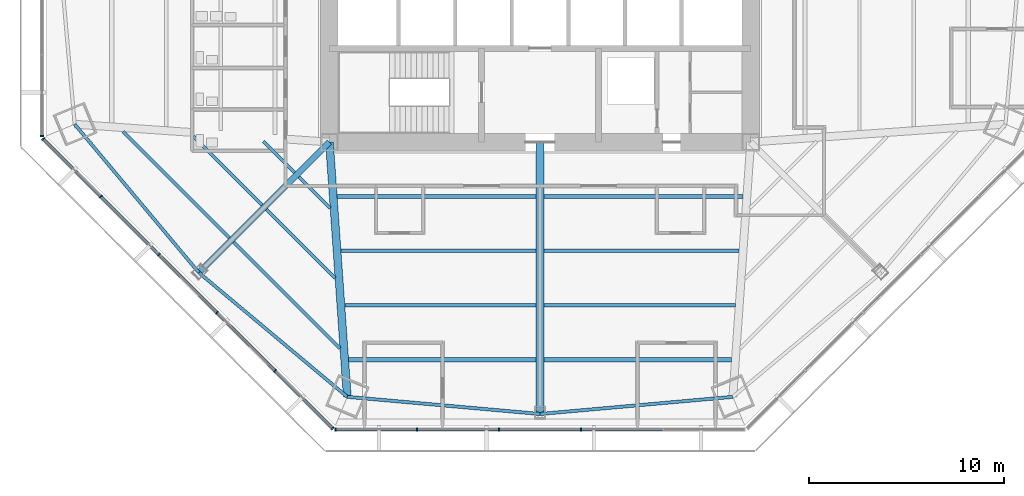
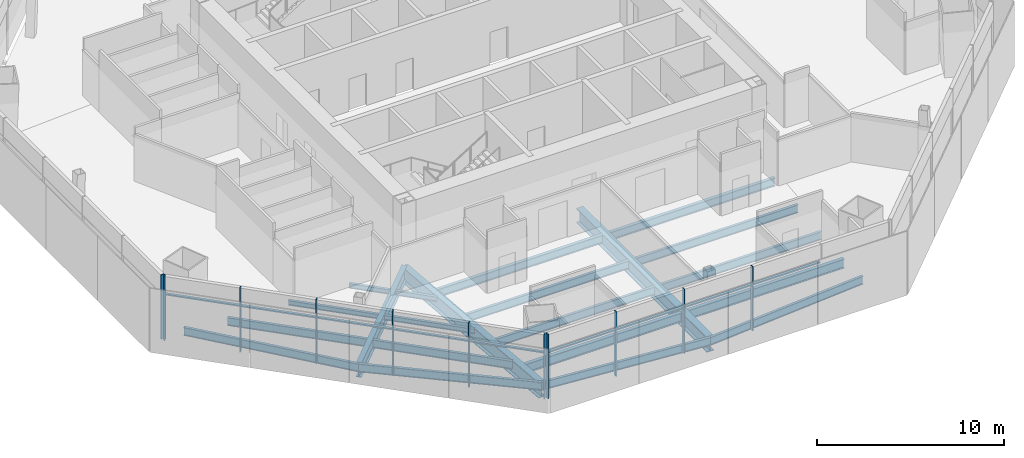
# One storey, part 2 of 17: 21 beams, 20 members, 3 elements without a shape of their own.
"""IFC4 building model written with IfcOpenShell, lengths in metres."""

from ifc_helpers import new_model, si_unit, direction, frame, origin, origin_2d, place, context, subcontext, project, spatial, rectangle, i_section, extrude, source, transform, mapped, material, material_profile, profile_set, type_object, type_shapes, element, aggregate, save


model = new_model("IFC4")

# Units and contexts
model_context = context("Model", 3, precision=1e-05, world=origin(), true_north=direction((0.0, 1.0)))
body_context = subcontext(model_context, "Body", "Model", "MODEL_VIEW")
ifc_project = project(units=[si_unit("LENGTHUNIT", "METRE"), si_unit("AREAUNIT", "SQUARE_METRE"), si_unit("VOLUMEUNIT", "CUBIC_METRE"), si_unit("PLANEANGLEUNIT", "RADIAN"), si_unit("MASSUNIT", "GRAM", prefix="KILO")], contexts=[model_context])

# Site, building, storey
site_placement = place(None, origin())
site = spatial("IfcSite", under=ifc_project, at=site_placement, CompositionType="ELEMENT")
building_placement = place(site_placement, origin())
building = spatial("IfcBuilding", under=site, at=building_placement, Name="Mashrafa Tower", CompositionType="ELEMENT")
storey_placement = place(building_placement, frame((0.0, 0.0, 87.60009765625)))
storey = spatial("IfcBuildingStorey", under=building, at=storey_placement, Name="L19", CompositionType="ELEMENT", Elevation=87.60009765625)

# Beams
ifc_material_1 = material(Name="Steel ASTM A992", Category="steel")
ifc_material_profile_1 = material_profile(ifc_material_1, i_section(OverallWidth=0.164794921875, OverallDepth=0.309814453125, WebThickness=0.005859375, FlangeThickness=0.009765625, FilletRadius=0.007568359375, at=origin_2d()), Name="W12X26")
ifc_profile_set_1 = profile_set([ifc_material_profile_1], Name="Steel ASTM A992")
beam_type_1 = type_object("IfcBeamType", Name="Beam W12X26", PredefinedType="BEAM", material=ifc_profile_set_1)
beam_1_placement = place(storey_placement, frame((-14.255126953125, -14.03955078125, -0.320068359375), z_axis=(-0.707106781187, 0.707106781187, 0.0), x_axis=(-0.707106781187, -0.707106781187, 0.0)))
element("IfcBeam", 1, at=beam_1_placement, inside=storey, type_object=beam_type_1, Name="Floor beam L19 012", PredefinedType="BEAM", context=body_context, shape_type="SweptSolid", body=[
    extrude(i_section(OverallWidth=0.164794921875, OverallDepth=0.309814453125, WebThickness=0.005859375, FlangeThickness=0.009765625, FilletRadius=0.007568359375, at=origin_2d()), origin(), (0.0, 0.0, 1.0), 4.989013671875),
])
for number, where, z_axis, x_axis, name in (
    (2, (-12.58154296875, -12.365966796875, -0.320068359375), (-0.707052896121, 0.707160662147, 0.0), (-0.707160662147, -0.707052896121, 0.0), "Floor beam L19 016"),
    (3, (-10.763916015625, -14.183349609375, -0.320068359375), (-0.707160662147, 0.707052896121, 0.0), (-0.707052896121, -0.707160662147, 0.0), "Floor beam L19 019"),
):
    element("IfcBeam", number, at=place(storey_placement, frame(where, z_axis=z_axis, x_axis=x_axis)), inside=storey, type_object=beam_type_1, Name=name, PredefinedType="BEAM", context=body_context, shape_type="SweptSolid", body=[
        extrude(i_section(OverallWidth=0.164794921875, OverallDepth=0.309814453125, WebThickness=0.005859375, FlangeThickness=0.009765625, FilletRadius=0.007568359375, at=origin_2d()), origin(), (0.0, 0.0, 1.0), 2.265380859375),
    ])
beam_2_placement = place(storey_placement, frame((-10.51171875, -17.782958984375, -0.320068359375), z_axis=(-0.707106781187, 0.707106781187, 0.0), x_axis=(-0.707106781187, -0.707106781187, 0.0)))
element("IfcBeam", 4, at=beam_2_placement, inside=storey, type_object=beam_type_1, Name="Floor beam L19 021", PredefinedType="BEAM", context=body_context, shape_type="SweptSolid", body=[
    extrude(i_section(OverallWidth=0.164794921875, OverallDepth=0.309814453125, WebThickness=0.005859375, FlangeThickness=0.009765625, FilletRadius=0.007568359375, at=origin_2d()), origin(), (0.0, 0.0, 1.0), 4.989013671875),
])
ifc_material_2 = material(Name="Steel ASTM A992", Category="steel")
ifc_material_profile_2 = material_profile(ifc_material_2, i_section(OverallWidth=0.165771484375, OverallDepth=0.5283203125, WebThickness=0.009765625, FlangeThickness=0.013671875, FilletRadius=0.012939453125, at=origin_2d()), Name="W21X50")
ifc_profile_set_2 = profile_set([ifc_material_profile_2], Name="Steel ASTM A992")
beam_type_2 = type_object("IfcBeamType", Name="Beam W21X50", PredefinedType="BEAM", material=ifc_profile_set_2)
for number, where, z_axis, x_axis, name in (
    (5, (-15.9287109375, -15.713134765625, -0.42919921875), (-0.707138433944, 0.707075127012, 0.0), (-0.707075127012, -0.707138433944, 0.0), "Floor beam L19 009"),
    (6, (-10.259521484375, -21.3828125, -0.42919921875), (-0.707075127012, 0.707138433944, 0.0), (-0.707138433944, -0.707075127012, 0.0), "Floor beam L19 023"),
):
    element("IfcBeam", number, at=place(storey_placement, frame(where, z_axis=z_axis, x_axis=x_axis)), inside=storey, type_object=beam_type_2, Name=name, PredefinedType="BEAM", context=body_context, shape_type="SweptSolid", body=[
        extrude(i_section(OverallWidth=0.165771484375, OverallDepth=0.5283203125, WebThickness=0.009765625, FlangeThickness=0.013671875, FilletRadius=0.012939453125, at=origin_2d()), origin(), (0.0, 0.0, 1.0), 7.712890625),
    ])
beam_3_placement = place(storey_placement, frame((-0.212158203125, -19.164794921875, -0.42919921875), z_axis=(-1.0, 0.0, 0.0), x_axis=(0.0, -1.0, 0.0)))
element("IfcBeam", 7, at=beam_3_placement, inside=storey, type_object=beam_type_2, Name="Floor beam L19 026", PredefinedType="BEAM", context=body_context, shape_type="SweptSolid", body=[
    extrude(i_section(OverallWidth=0.165771484375, OverallDepth=0.5283203125, WebThickness=0.009765625, FlangeThickness=0.013671875, FilletRadius=0.012939453125, at=origin_2d()), origin(), (0.0, 0.0, 1.0), 9.80029296875),
])
beam_4_placement = place(storey_placement, frame((-0.212158203125, -16.37646484375, -0.42919921875), z_axis=(-1.0, 0.0, 0.0), x_axis=(0.0, -1.0, 0.0)))
element("IfcBeam", 8, at=beam_4_placement, inside=storey, type_object=beam_type_2, Name="Floor beam L19 027", PredefinedType="BEAM", context=body_context, shape_type="SweptSolid", body=[
    extrude(i_section(OverallWidth=0.165771484375, OverallDepth=0.5283203125, WebThickness=0.009765625, FlangeThickness=0.013671875, FilletRadius=0.012939453125, at=origin_2d()), origin(), (0.0, 0.0, 1.0), 9.995849609375),
])
beam_5_placement = place(storey_placement, frame((10.012451171875, -19.164794921875, -0.42919921875), z_axis=(-1.0, 0.0, 0.0), x_axis=(0.0, -1.0, 0.0)))
element("IfcBeam", 9, at=beam_5_placement, inside=storey, type_object=beam_type_2, Name="Floor beam L19 035", PredefinedType="BEAM", context=body_context, shape_type="SweptSolid", body=[
    extrude(i_section(OverallWidth=0.165771484375, OverallDepth=0.5283203125, WebThickness=0.009765625, FlangeThickness=0.013671875, FilletRadius=0.012939453125, at=origin_2d()), origin(), (0.0, 0.0, 1.0), 9.80029296875),
])
beam_6_placement = place(storey_placement, frame((10.2080078125, -16.37646484375, -0.42919921875), z_axis=(-1.0, 0.0, 0.0), x_axis=(0.0, -1.0, 0.0)))
element("IfcBeam", 10, at=beam_6_placement, inside=storey, type_object=beam_type_2, Name="Floor beam L19 037", PredefinedType="BEAM", context=body_context, shape_type="SweptSolid", body=[
    extrude(i_section(OverallWidth=0.165771484375, OverallDepth=0.5283203125, WebThickness=0.009765625, FlangeThickness=0.013671875, FilletRadius=0.012939453125, at=origin_2d()), origin(), (0.0, 0.0, 1.0), 9.995849609375),
])
for number, where, z_axis, x_axis, name in (
    (11, (-23.863037109375, -9.884521484375, -0.42919921875), (0.641768112659, -0.766898747928, 0.0), (0.766898747928, 0.641768112659, 0.0), "Spandrel beam L19 074"),
    (12, (-17.49462890625, -17.49462890625, -0.42919921875), (0.766898747928, -0.641768112659, 0.0), (0.641768112659, 0.766898747928, 0.0), "Spandrel beam L19 076"),
    (13, (-9.884521484375, -23.863037109375, -0.42919921875), (0.996076641631, -0.088494768196, 0.0), (0.088494768196, 0.996076641631, 0.0), "Spandrel beam L19 078"),
    (14, (0.0, -24.7412109375, -0.42919921875), (0.996076641631, 0.088494768196, 0.0), (-0.088494768196, 0.996076641631, 0.0), "Spandrel beam L19 080"),
):
    element("IfcBeam", number, at=place(storey_placement, frame(where, z_axis=z_axis, x_axis=x_axis)), inside=storey, type_object=beam_type_2, Name=name, PredefinedType="BEAM", context=body_context, shape_type="SweptSolid", body=[
        extrude(i_section(OverallWidth=0.165771484375, OverallDepth=0.5283203125, WebThickness=0.009765625, FlangeThickness=0.013671875, FilletRadius=0.012939453125, at=origin_2d()), origin(), (0.0, 0.0, 1.0), 9.92333984375),
    ])
ifc_material_3 = material(Name="Steel ASTM A992", Category="steel")
ifc_material_profile_3 = material_profile(ifc_material_3, i_section(OverallWidth=0.209228515625, OverallDepth=0.533447265625, WebThickness=0.01025390625, FlangeThickness=0.015625, FilletRadius=0.012939453125, at=origin_2d()), Name="W21X62")
ifc_profile_set_3 = profile_set([ifc_material_profile_3], Name="Steel ASTM A992")
beam_type_3 = type_object("IfcBeamType", Name="Beam W21X62", PredefinedType="BEAM", material=ifc_profile_set_3)
for number, where, z_axis, x_axis, name in (
    (15, (-0.212158203125, -13.58837890625, -0.431884765625), (-1.0, 0.0, 0.0), (0.0, -1.0, 0.0), "Floor beam L19 028"),
    (16, (10.4033203125, -13.58837890625, -0.431884765625), (-1.0, 0.0, 0.0), (0.0, -1.0, 0.0), "Floor beam L19 039"),
):
    element("IfcBeam", number, at=place(storey_placement, frame(where, z_axis=z_axis, x_axis=x_axis)), inside=storey, type_object=beam_type_3, Name=name, PredefinedType="BEAM", context=body_context, shape_type="SweptSolid", body=[
        extrude(i_section(OverallWidth=0.209228515625, OverallDepth=0.533447265625, WebThickness=0.01025390625, FlangeThickness=0.015625, FilletRadius=0.012939453125, at=origin_2d()), origin(), (0.0, 0.0, 1.0), 10.191162109375),
    ])
ifc_material_4 = material(Name="Steel ASTM A992", Category="steel")
ifc_material_profile_4 = material_profile(ifc_material_4, i_section(OverallWidth=0.227783203125, OverallDepth=0.60205078125, WebThickness=0.010498046875, FlangeThickness=0.014892578125, FilletRadius=0.012939453125, at=origin_2d()), Name="W24X68")
ifc_profile_set_4 = profile_set([ifc_material_profile_4], Name="Steel ASTM A992")
beam_type_4 = type_object("IfcBeamType", Name="Beam W24X68", PredefinedType="BEAM", material=ifc_profile_set_4)
for number, where, z_axis, x_axis, name in (
    (17, (-0.212158203125, -21.952880859375, -0.466064453125), (-1.0, 0.0, 0.0), (0.0, -1.0, 0.0), "Floor beam L19 025"),
    (18, (9.817138671875, -21.952880859375, -0.466064453125), (-1.0, 0.0, 0.0), (0.0, -1.0, 0.0), "Floor beam L19 033"),
):
    element("IfcBeam", number, at=place(storey_placement, frame(where, z_axis=z_axis, x_axis=x_axis)), inside=storey, type_object=beam_type_4, Name=name, PredefinedType="BEAM", context=body_context, shape_type="SweptSolid", body=[
        extrude(i_section(OverallWidth=0.227783203125, OverallDepth=0.60205078125, WebThickness=0.010498046875, FlangeThickness=0.014892578125, FilletRadius=0.012939453125, at=origin_2d()), origin(), (0.0, 0.0, 1.0), 9.60498046875),
    ])
ifc_material_5 = material(Name="Steel ASTM A992", Category="steel")
ifc_material_profile_5 = material_profile(ifc_material_5, i_section(OverallWidth=0.3046875, OverallDepth=0.911865234375, WebThickness=0.015869140625, FlangeThickness=0.02392578125, FilletRadius=0.01904296875, at=origin_2d()), Name="W36X150")
ifc_profile_set_5 = profile_set([ifc_material_profile_5], Name="Steel ASTM A992")
beam_type_5 = type_object("IfcBeamType", Name="Beam W36X150", PredefinedType="BEAM", material=ifc_profile_set_5)
beam_7_placement = place(storey_placement, frame((-10.800048828125, -10.800048828125, -0.62109375), z_axis=(-0.707106781187, -0.707106781187, 0.0), x_axis=(0.707106781187, -0.707106781187, 0.0)))
element("IfcBeam", 19, at=beam_7_placement, inside=storey, type_object=beam_type_5, Name="Radial girder L19 058", PredefinedType="BEAM", context=body_context, shape_type="SweptSolid", body=[
    extrude(i_section(OverallWidth=0.3046875, OverallDepth=0.911865234375, WebThickness=0.015869140625, FlangeThickness=0.02392578125, FilletRadius=0.01904296875, at=origin_2d()), origin(), (0.0, 0.0, 1.0), 9.467529296875),
])
ifc_material_6 = material(Name="Steel ASTM A992", Category="steel")
ifc_material_profile_6 = material_profile(ifc_material_6, i_section(OverallWidth=0.424072265625, OverallDepth=0.960205078125, WebThickness=0.028564453125, FlangeThickness=0.051025390625, FilletRadius=0.02001953125, at=origin_2d()), Name="W36X361")
ifc_profile_set_6 = profile_set([ifc_material_profile_6], Name="Steel ASTM A992")
beam_type_6 = type_object("IfcBeamType", Name="Beam W36X361", PredefinedType="BEAM", material=ifc_profile_set_6)
beam_8_placement = place(storey_placement, frame((0.0, -10.800048828125, -0.645263671875), z_axis=(0.0, -1.0, 0.0), x_axis=(1.0, 0.0, 0.0)))
element("IfcBeam", 20, at=beam_8_placement, inside=storey, type_object=beam_type_6, Name="Radial girder L19 064", PredefinedType="BEAM", context=body_context, shape_type="SweptSolid", body=[
    extrude(i_section(OverallWidth=0.424072265625, OverallDepth=0.960205078125, WebThickness=0.028564453125, FlangeThickness=0.051025390625, FilletRadius=0.02001953125, at=origin_2d()), origin(), (0.0, 0.0, 1.0), 13.941162109375),
])
ifc_material_7 = material(Name="Steel ASTM A992", Category="steel")
ifc_material_profile_7 = material_profile(ifc_material_7, i_section(OverallWidth=0.4013671875, OverallDepth=1.010986328125, WebThickness=0.023681640625, FlangeThickness=0.0419921875, FilletRadius=0.02001953125, at=origin_2d()), Name="W40X297")
ifc_profile_set_7 = profile_set([ifc_material_profile_7], Name="Steel ASTM A992")
beam_type_7 = type_object("IfcBeamType", Name="Beam W40X297", PredefinedType="BEAM", material=ifc_profile_set_7)
beam_9_placement = place(storey_placement, frame((-10.800048828125, -10.800048828125, -0.670654296875), z_axis=(0.069914099504, -0.997553015479, 0.0), x_axis=(0.997553015479, 0.069914099504, 0.0)))
element("IfcBeam", 21, at=beam_9_placement, inside=storey, type_object=beam_type_7, Name="Radial girder L19 059", PredefinedType="BEAM", context=body_context, shape_type="SweptSolid", body=[
    extrude(i_section(OverallWidth=0.4013671875, OverallDepth=1.010986328125, WebThickness=0.023681640625, FlangeThickness=0.0419921875, FilletRadius=0.02001953125, at=origin_2d()), origin(), (0.0, 0.0, 1.0), 13.094970703125),
])

# Curtain wall, member
ifc_material_8 = material(Name="Unitised aluminium curtain wall", Category="aluminium")
curtain_wall_type = type_object("IfcCurtainWallType", Name="Office curtain wall, zone 1 CW-A 200 deep", PredefinedType="NOTDEFINED", material=ifc_material_8)
curtain_wall_1_placement = place(storey_placement, origin())
curtain_wall_1 = element("IfcCurtainWall", 22, at=curtain_wall_1_placement, inside=storey, type_object=curtain_wall_type, Name="Office curtain wall, zone 1 L19 west", PredefinedType="NOTDEFINED")
ifc_material_9 = material(Name="Extruded aluminium mullion", Category="aluminium")
ifc_material_profile_8 = material_profile(ifc_material_9, rectangle(XDim=0.199951171875, YDim=0.06494140625, at=origin_2d()), Name="Mullion 65x200")
ifc_profile_set_8 = profile_set([ifc_material_profile_8], Name="Extruded aluminium mullion")
member_type_1 = type_object("IfcMemberType", Name="Mullion CW-A 65 x 200", PredefinedType="MULLION", material=ifc_profile_set_8)
shared_shape_1 = source(origin(), body_context, "Body", "SweptSolid", [
    extrude(rectangle(XDim=0.199951171875, YDim=0.06494140625, at=origin_2d()), origin(), (0.0, 0.0, 1.0), 4.199951171875),
])
type_shapes(member_type_1, [shared_shape_1])
member_1_placement = place(storey_placement, frame((-25.53662109375, -10.49365234375, 0.0), z_axis=(0.0, 0.0, 1.0), x_axis=(1.0, 0.0, 0.0)))
member_1 = element("IfcMember", 23, at=member_1_placement, type_object=member_type_1, Name="CW-A mullion 6", PredefinedType="MULLION", context=body_context, shape_type="MappedRepresentation", body=[
    mapped(shared_shape_1, transform((0.0, 0.0, 0.0))),
])
aggregate(curtain_wall_1, [member_1])

# Curtain wall, members
curtain_wall_2_placement = place(storey_placement, origin())
curtain_wall_2 = element("IfcCurtainWall", 24, at=curtain_wall_2_placement, inside=storey, type_object=curtain_wall_type, Name="Office curtain wall, zone 1 L19 south-west", PredefinedType="NOTDEFINED")
member_2_placement = place(storey_placement, frame((-25.477294921875, -10.636962890625, 0.0), z_axis=(0.0, 0.0, 1.0), x_axis=(0.707106781187, 0.707106781187, 0.0)))
member_2 = element("IfcMember", 25, at=member_2_placement, type_object=member_type_1, Name="CW-A mullion 1", PredefinedType="MULLION", context=body_context, shape_type="MappedRepresentation", body=[
    mapped(shared_shape_1, transform((0.0, 0.0, 0.0))),
])
member_3_placement = place(storey_placement, frame((-22.52294921875, -13.59130859375, 0.0), z_axis=(0.0, 0.0, 1.0), x_axis=(0.707106781187, 0.707106781187, 0.0)))
member_3 = element("IfcMember", 26, at=member_3_placement, type_object=member_type_1, Name="CW-A mullion 2", PredefinedType="MULLION", context=body_context, shape_type="MappedRepresentation", body=[
    mapped(shared_shape_1, transform((0.0, 0.0, 0.0))),
])
member_4_placement = place(storey_placement, frame((-19.545654296875, -16.568603515625, 0.0), z_axis=(0.0, 0.0, 1.0), x_axis=(0.707106781187, 0.707106781187, 0.0)))
member_4 = element("IfcMember", 27, at=member_4_placement, type_object=member_type_1, Name="CW-A mullion 3", PredefinedType="MULLION", context=body_context, shape_type="MappedRepresentation", body=[
    mapped(shared_shape_1, transform((0.0, 0.0, 0.0))),
])
member_5_placement = place(storey_placement, frame((-16.568603515625, -19.545654296875, 0.0), z_axis=(0.0, 0.0, 1.0), x_axis=(0.707106781187, 0.707106781187, 0.0)))
member_5 = element("IfcMember", 28, at=member_5_placement, type_object=member_type_1, Name="CW-A mullion 4", PredefinedType="MULLION", context=body_context, shape_type="MappedRepresentation", body=[
    mapped(shared_shape_1, transform((0.0, 0.0, 0.0))),
])
member_6_placement = place(storey_placement, frame((-13.59130859375, -22.52294921875, 0.0), z_axis=(0.0, 0.0, 1.0), x_axis=(0.707106781187, 0.707106781187, 0.0)))
member_6 = element("IfcMember", 29, at=member_6_placement, type_object=member_type_1, Name="CW-A mullion 5", PredefinedType="MULLION", context=body_context, shape_type="MappedRepresentation", body=[
    mapped(shared_shape_1, transform((0.0, 0.0, 0.0))),
])
member_7_placement = place(storey_placement, frame((-10.636962890625, -25.477294921875, 0.0), z_axis=(0.0, 0.0, 1.0), x_axis=(0.707106781187, 0.707106781187, 0.0)))
member_7 = element("IfcMember", 30, at=member_7_placement, type_object=member_type_1, Name="CW-A mullion 6", PredefinedType="MULLION", context=body_context, shape_type="MappedRepresentation", body=[
    mapped(shared_shape_1, transform((0.0, 0.0, 0.0))),
])

curtain_wall_3_placement = place(storey_placement, origin())
curtain_wall_3 = element("IfcCurtainWall", 31, at=curtain_wall_3_placement, inside=storey, type_object=curtain_wall_type, Name="Office curtain wall, zone 1 L19 south", PredefinedType="NOTDEFINED")
member_8_placement = place(storey_placement, frame((-10.49365234375, -25.53662109375, 0.0), z_axis=(0.0, 0.0, 1.0), x_axis=(0.0, 1.0, 0.0)))
member_8 = element("IfcMember", 32, at=member_8_placement, type_object=member_type_1, Name="CW-A mullion 1", PredefinedType="MULLION", context=body_context, shape_type="MappedRepresentation", body=[
    mapped(shared_shape_1, transform((0.0, 0.0, 0.0))),
])
member_9_placement = place(storey_placement, frame((-6.315673828125, -25.53662109375, 0.0), z_axis=(0.0, 0.0, 1.0), x_axis=(0.0, 1.0, 0.0)))
member_9 = element("IfcMember", 33, at=member_9_placement, type_object=member_type_1, Name="CW-A mullion 2", PredefinedType="MULLION", context=body_context, shape_type="MappedRepresentation", body=[
    mapped(shared_shape_1, transform((0.0, 0.0, 0.0))),
])
member_10_placement = place(storey_placement, frame((-2.105224609375, -25.53662109375, 0.0), z_axis=(0.0, 0.0, 1.0), x_axis=(0.0, 1.0, 0.0)))
member_10 = element("IfcMember", 34, at=member_10_placement, type_object=member_type_1, Name="CW-A mullion 3", PredefinedType="MULLION", context=body_context, shape_type="MappedRepresentation", body=[
    mapped(shared_shape_1, transform((0.0, 0.0, 0.0))),
])
member_11_placement = place(storey_placement, frame((2.105224609375, -25.53662109375, 0.0), z_axis=(0.0, 0.0, 1.0), x_axis=(0.0, 1.0, 0.0)))
member_11 = element("IfcMember", 35, at=member_11_placement, type_object=member_type_1, Name="CW-A mullion 4", PredefinedType="MULLION", context=body_context, shape_type="MappedRepresentation", body=[
    mapped(shared_shape_1, transform((0.0, 0.0, 0.0))),
])
ifc_material_10 = material(Name="Extruded aluminium transom", Category="aluminium")
ifc_material_profile_9 = material_profile(ifc_material_10, rectangle(XDim=0.159912109375, YDim=0.080078125, at=origin_2d()), Name="Transom 80x160")
ifc_profile_set_9 = profile_set([ifc_material_profile_9], Name="Extruded aluminium transom")
member_type_2 = type_object("IfcMemberType", Name="Transom CW-A 80 x 160", PredefinedType="MULLION", material=ifc_profile_set_9)
shared_shape_2 = source(origin(), body_context, "Body", "SweptSolid", [
    extrude(rectangle(XDim=0.159912109375, YDim=0.080078125, at=origin_2d()), origin(), (0.0, 0.0, 1.0), 4.113037109375),
])
member_12_placement = place(storey_placement, frame((-10.461181640625, -25.53662109375, 3.0), z_axis=(1.0, 0.0, 0.0), x_axis=(0.0, 1.0, 0.0)))
member_12 = element("IfcMember", 36, at=member_12_placement, type_object=member_type_2, Name="CW-A transom 1", PredefinedType="MULLION", context=body_context, shape_type="MappedRepresentation", body=[
    mapped(shared_shape_2, transform((0.0, 0.0, 0.0))),
])
shared_shape_3 = source(origin(), body_context, "Body", "SweptSolid", [
    extrude(rectangle(XDim=0.159912109375, YDim=0.080078125, at=origin_2d()), origin(), (0.0, 0.0, 1.0), 4.1455078125),
])
member_13_placement = place(storey_placement, frame((-6.283203125, -25.53662109375, 3.0), z_axis=(1.0, 0.0, 0.0), x_axis=(0.0, 1.0, 0.0)))
member_13 = element("IfcMember", 37, at=member_13_placement, type_object=member_type_2, Name="CW-A transom 2", PredefinedType="MULLION", context=body_context, shape_type="MappedRepresentation", body=[
    mapped(shared_shape_3, transform((0.0, 0.0, 0.0))),
])
member_14_placement = place(storey_placement, frame((-2.07275390625, -25.53662109375, 3.0), z_axis=(1.0, 0.0, 0.0), x_axis=(0.0, 1.0, 0.0)))
member_14 = element("IfcMember", 38, at=member_14_placement, type_object=member_type_2, Name="CW-A transom 3", PredefinedType="MULLION", context=body_context, shape_type="MappedRepresentation", body=[
    mapped(shared_shape_3, transform((0.0, 0.0, 0.0))),
])
member_15_placement = place(storey_placement, frame((2.1376953125, -25.53662109375, 3.0), z_axis=(1.0, 0.0, 0.0), x_axis=(0.0, 1.0, 0.0)))
member_15 = element("IfcMember", 39, at=member_15_placement, type_object=member_type_2, Name="CW-A transom 4", PredefinedType="MULLION", context=body_context, shape_type="MappedRepresentation", body=[
    mapped(shared_shape_3, transform((0.0, 0.0, 0.0))),
])
aggregate(curtain_wall_3, [member_8, member_9, member_10, member_11, member_12, member_13, member_14, member_15])

# Member
shared_shape_4 = source(origin(), body_context, "Body", "SweptSolid", [
    extrude(rectangle(XDim=0.159912109375, YDim=0.080078125, at=origin_2d()), origin(), (0.0, 0.0, 1.0), 4.11328125),
])
member_16_placement = place(storey_placement, frame((-25.454345703125, -10.659912109375, 3.0), z_axis=(0.707106781187, -0.707106781187, 0.0), x_axis=(0.707106781187, 0.707106781187, 0.0)))
member_16 = element("IfcMember", 40, at=member_16_placement, type_object=member_type_2, Name="CW-A transom 1", PredefinedType="MULLION", context=body_context, shape_type="MappedRepresentation", body=[
    mapped(shared_shape_4, transform((0.0, 0.0, 0.0))),
])

member_17_placement = place(storey_placement, frame((-13.568359375, -22.5458984375, 3.0), z_axis=(0.707106781187, -0.707106781187, 0.0), x_axis=(0.707106781187, 0.707106781187, 0.0)))
member_17 = element("IfcMember", 41, at=member_17_placement, type_object=member_type_2, Name="CW-A transom 5", PredefinedType="MULLION", context=body_context, shape_type="MappedRepresentation", body=[
    mapped(shared_shape_4, transform((0.0, 0.0, 0.0))),
])

shared_shape_5 = source(origin(), body_context, "Body", "SweptSolid", [
    extrude(rectangle(XDim=0.159912109375, YDim=0.080078125, at=origin_2d()), origin(), (0.0, 0.0, 1.0), 4.145263671875),
])
type_shapes(member_type_2, [shared_shape_2, shared_shape_3, shared_shape_4, shared_shape_5])
member_18_placement = place(storey_placement, frame((-22.5, -13.6142578125, 3.0), z_axis=(0.707106781187, -0.707106781187, 0.0), x_axis=(0.707106781187, 0.707106781187, 0.0)))
member_18 = element("IfcMember", 42, at=member_18_placement, type_object=member_type_2, Name="CW-A transom 2", PredefinedType="MULLION", context=body_context, shape_type="MappedRepresentation", body=[
    mapped(shared_shape_5, transform((0.0, 0.0, 0.0))),
])

member_19_placement = place(storey_placement, frame((-19.522705078125, -16.591552734375, 3.0), z_axis=(0.707106781187, -0.707106781187, 0.0), x_axis=(0.707106781187, 0.707106781187, 0.0)))
member_19 = element("IfcMember", 43, at=member_19_placement, type_object=member_type_2, Name="CW-A transom 3", PredefinedType="MULLION", context=body_context, shape_type="MappedRepresentation", body=[
    mapped(shared_shape_5, transform((0.0, 0.0, 0.0))),
])

member_20_placement = place(storey_placement, frame((-16.54541015625, -19.56884765625, 3.0), z_axis=(0.707106781187, -0.707106781187, 0.0), x_axis=(0.707106781187, 0.707106781187, 0.0)))
member_20 = element("IfcMember", 44, at=member_20_placement, type_object=member_type_2, Name="CW-A transom 4", PredefinedType="MULLION", context=body_context, shape_type="MappedRepresentation", body=[
    mapped(shared_shape_5, transform((0.0, 0.0, 0.0))),
])

aggregate(curtain_wall_2, [member_2, member_3, member_4, member_5, member_6, member_7, member_16, member_18, member_19, member_20, member_17])

save(model, "model.ifc")
